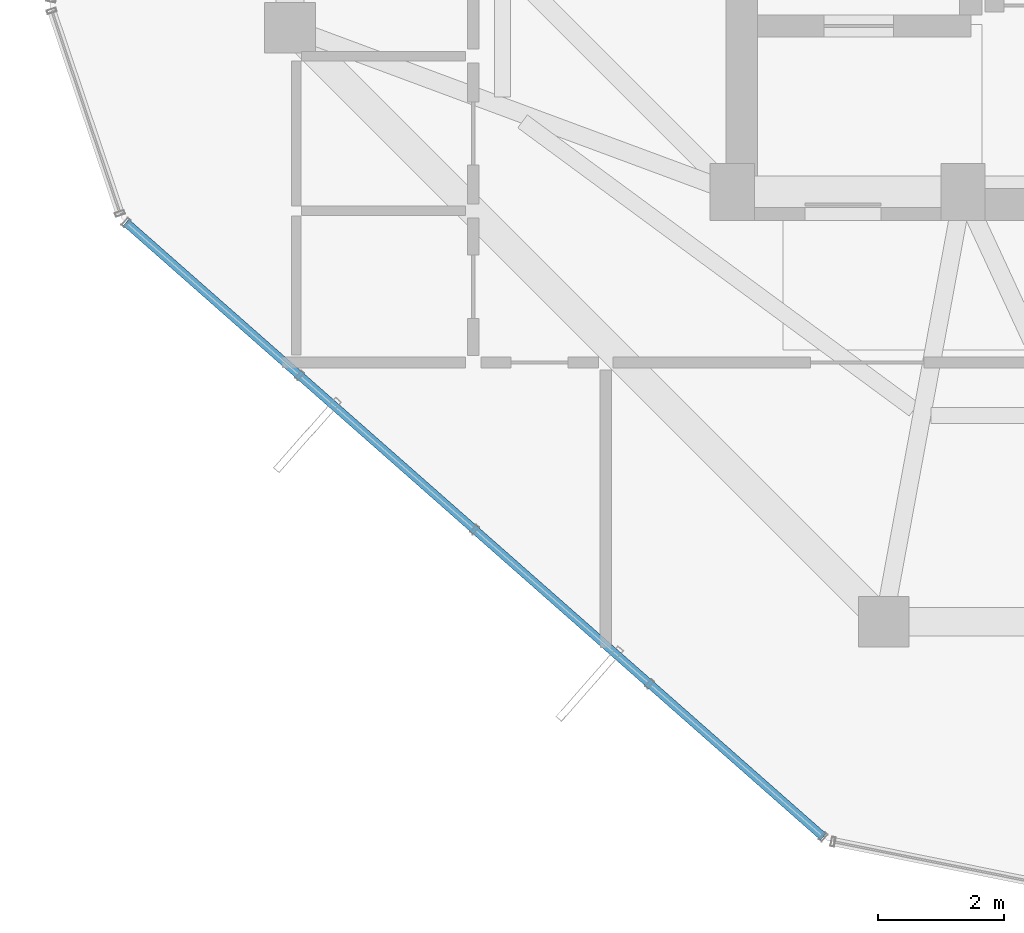
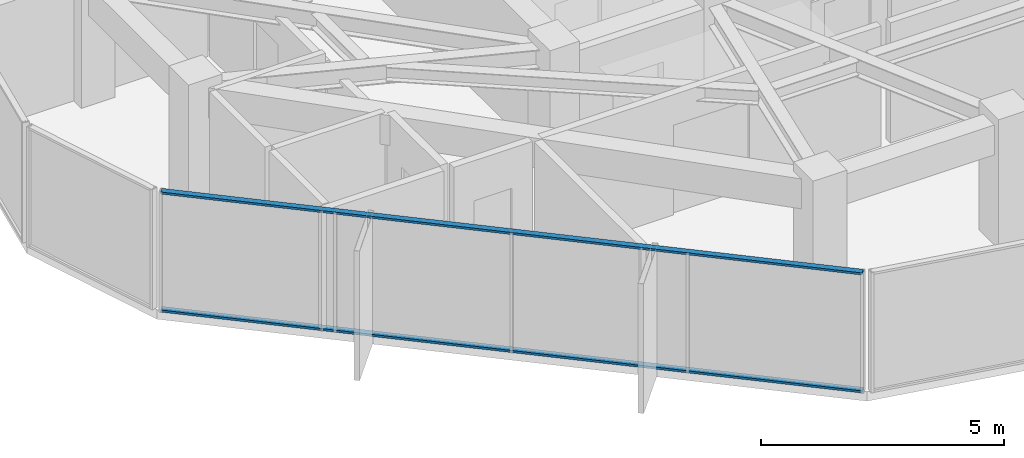
# One storey, part 3 of 28: 2 members, 1 element without a shape of its own.
"""IFC4 building model written with IfcOpenShell, lengths in metres."""

from ifc_helpers import new_model, si_unit, direction, frame, origin, origin_2d, place, context, subcontext, project, spatial, hollow_rectangle, extrude, source, transform, mapped, material, layer, layer_set, material_profile, profile_set, type_object, element, aggregate, save


model = new_model("IFC4")

# Units and contexts
model_context = context("Model", 3, precision=1e-05, world=origin(), true_north=direction((0.0, 1.0)))
body_context = subcontext(model_context, "Body", "Model", "MODEL_VIEW")
ifc_project = project(units=[si_unit("LENGTHUNIT", "METRE"), si_unit("AREAUNIT", "SQUARE_METRE"), si_unit("VOLUMEUNIT", "CUBIC_METRE"), si_unit("PLANEANGLEUNIT", "RADIAN"), si_unit("MASSUNIT", "GRAM", prefix="KILO")], contexts=[model_context])

# Site, building, storey
site_placement = place(None, origin())
site = spatial("IfcSite", under=ifc_project, at=site_placement, CompositionType="ELEMENT")
building_placement = place(site_placement, origin())
building = spatial("IfcBuilding", under=site, at=building_placement, Name="Veraguas Prism Commons", CompositionType="ELEMENT")
storey_placement = place(building_placement, frame((0.0, 0.0, 248.0)))
storey = spatial("IfcBuildingStorey", under=building, at=storey_placement, Name="L70", CompositionType="ELEMENT", Elevation=248.0)

# Curtain wall, members
ifc_material = material(Name="Anodised aluminium EN AW-6063 T6", Category="aluminium")
ifc_layer = layer(ifc_material, 0.14990234375, Name="Unitised Flush Curtain Wall Zone 4", Category="aluminium")
ifc_layer_set = layer_set([ifc_layer], Name="Anodised aluminium EN AW-6063 T6")
curtain_wall_type = type_object("IfcCurtainWallType", Name="Unitised Flush Curtain Wall Zone 4", PredefinedType="NOTDEFINED", material=ifc_layer_set)
curtain_wall_placement = place(storey_placement, origin())
curtain_wall = element("IfcCurtainWall", 1, at=curtain_wall_placement, inside=storey, type_object=curtain_wall_type, Name="Tower Facade Curtain Wall L70-F4", PredefinedType="NOTDEFINED")
ifc_material_profile = material_profile(ifc_material, hollow_rectangle(XDim=0.054931640625, YDim=0.135009765625, WallThickness=0.0029296875, at=origin_2d()), Name="AL55X135X3")
ifc_profile_set = profile_set([ifc_material_profile], Name="Anodised aluminium EN AW-6063 T6")
member_type = type_object("IfcMemberType", Name="Curtain Wall Transom Standard AL 55x135x3", PredefinedType="USERDEFINED", material=ifc_profile_set)
shared_shape = source(origin(), body_context, "Body", "SweptSolid", [
    extrude(hollow_rectangle(XDim=0.054931640625, YDim=0.135009765625, WallThickness=0.0029296875, at=origin_2d()), origin(), (0.0, 0.0, 1.0), 14.706298828125),
])
member_1_placement = place(storey_placement, frame((7.605224609375, 16.51416015625, 0.027587890625), z_axis=(0.750352132874, -0.66103833224, 0.0), x_axis=(0.0, 0.0, 1.0)))
member_1 = element("IfcMember", 2, at=member_1_placement, type_object=member_type, Name="CW-Z4 Transom 1", ObjectType="TRANSOM", PredefinedType="USERDEFINED", context=body_context, shape_type="MappedRepresentation", body=[
    mapped(shared_shape, transform((0.0, 0.0, 0.0), scale=1.0)),
])
member_2_placement = place(storey_placement, frame((7.605224609375, 16.51416015625, 2.987548828125), z_axis=(0.750352132874, -0.66103833224, 0.0), x_axis=(0.0, 0.0, 1.0)))
member_2 = element("IfcMember", 3, at=member_2_placement, type_object=member_type, Name="CW-Z4 Transom 2", ObjectType="TRANSOM", PredefinedType="USERDEFINED", context=body_context, shape_type="MappedRepresentation", body=[
    mapped(shared_shape, transform((0.0, 0.0, 0.0), scale=1.0)),
])
aggregate(curtain_wall, [member_1, member_2])

save(model, "model.ifc")
